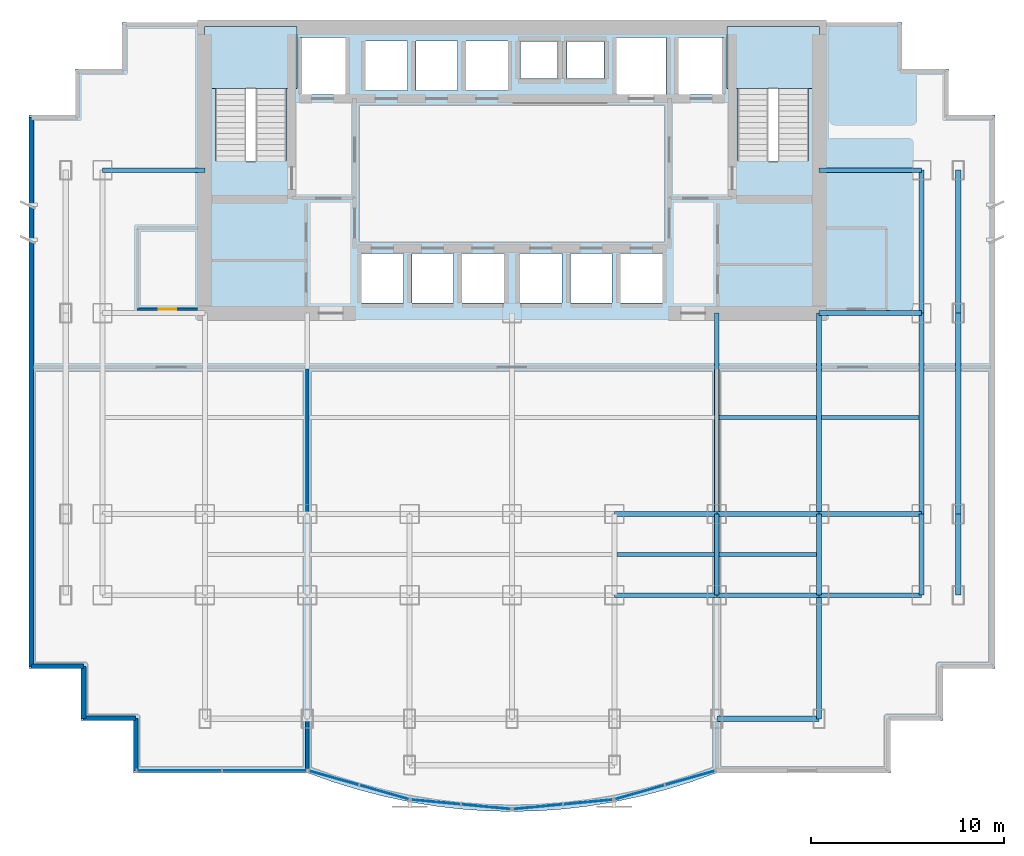
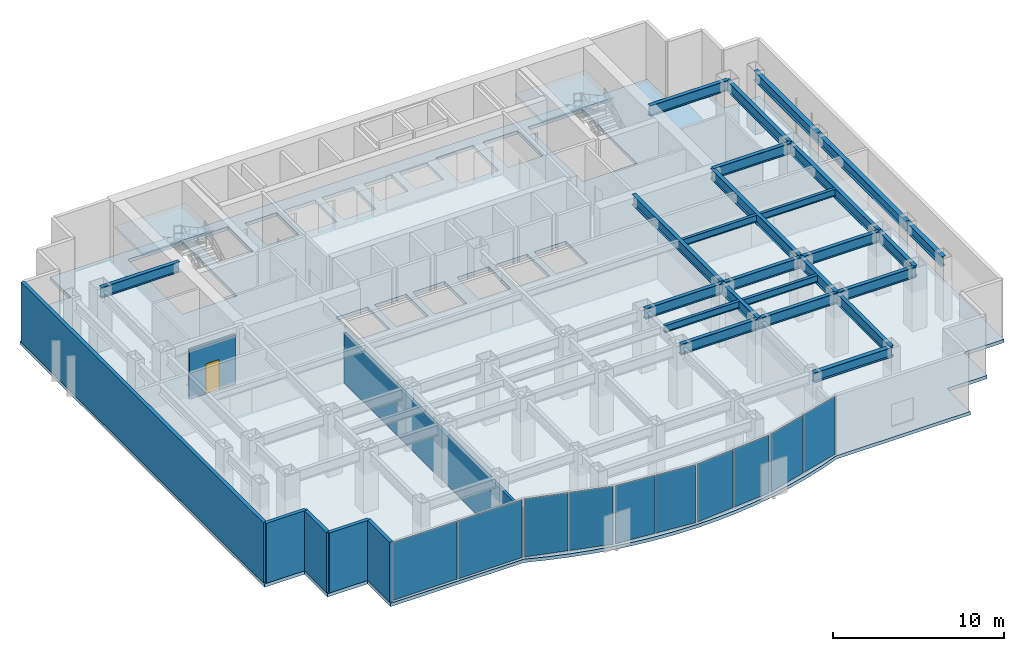
# One storey, part 4 of 9: 25 beams, 10 plates, 7 walls, 3 slabs, 1 door, 1 opening, 7 elements without a shape of their own.
"""IFC4 building model written with IfcOpenShell, lengths in metres."""

from ifc_helpers import new_model, si_unit, direction, frame, frame_2d, origin, origin_2d, place, context, subcontext, project, spatial, polyline, rectangle, i_section, outline, extrude, source, transform, mapped, material, layer, layer_set, material_profile, profile_set, type_object, element, fill, aggregate, save


model = new_model("IFC4")

# Units and contexts
model_context = context("Model", 3, precision=1e-05, world=origin(), true_north=direction((0.0, 1.0)))
body_context = subcontext(model_context, "Body", "Model", "MODEL_VIEW")
ifc_project = project(units=[si_unit("LENGTHUNIT", "METRE"), si_unit("AREAUNIT", "SQUARE_METRE"), si_unit("VOLUMEUNIT", "CUBIC_METRE"), si_unit("PLANEANGLEUNIT", "RADIAN"), si_unit("MASSUNIT", "GRAM", prefix="KILO")], contexts=[model_context])

# Site, building, storey
site_placement = place(None, origin())
site = spatial("IfcSite", under=ifc_project, at=site_placement, CompositionType="ELEMENT")
building_placement = place(site_placement, origin())
building = spatial("IfcBuilding", under=site, at=building_placement, Name="Qianlan Lanfeng Residences", CompositionType="ELEMENT")
storey_placement = place(building_placement, frame((0.0, 0.0, 77.199951171875)))
storey = spatial("IfcBuildingStorey", under=building, at=storey_placement, Name="L20", CompositionType="ELEMENT", Elevation=77.199951171875)

# Beams
ifc_material_1 = material(Name="Steel SN490B", Category="steel")
ifc_material_profile_1 = material_profile(ifc_material_1, i_section(OverallWidth=0.25, OverallDepth=0.75, WebThickness=0.013916015625, FlangeThickness=0.02490234375, at=origin_2d()), Name="H 750x250x14x25")
ifc_profile_set_1 = profile_set([ifc_material_profile_1], Name="Steel SN490B")
beam_type_1 = type_object("IfcBeamType", Name="G-850", PredefinedType="BEAM", material=ifc_profile_set_1)
beam_1_placement = place(storey_placement, frame((31.800048828125, 10.60009765625, 3.9150390625), z_axis=(1.0, 0.0, 0.0), x_axis=(0.0, 1.0, 0.0)))
element("IfcBeam", 1, at=beam_1_placement, inside=storey, type_object=beam_type_1, Name="Structural beam G-850", PredefinedType="BEAM", context=body_context, shape_type="SweptSolid", body=[
    extrude(i_section(OverallWidth=0.25, OverallDepth=0.75, WebThickness=0.013916015625, FlangeThickness=0.02490234375, at=origin_2d()), origin(), (0.0, 0.0, 1.0), 5.300048828125),
])
beam_2_placement = place(storey_placement, frame((37.10009765625, 10.60009765625, 3.9150390625), z_axis=(1.0, 0.0, 0.0), x_axis=(0.0, 1.0, 0.0)))
element("IfcBeam", 2, at=beam_2_placement, inside=storey, type_object=beam_type_1, Name="Structural beam G-850", PredefinedType="BEAM", context=body_context, shape_type="SweptSolid", body=[
    extrude(i_section(OverallWidth=0.25, OverallDepth=0.75, WebThickness=0.013916015625, FlangeThickness=0.02490234375, at=origin_2d()), origin(), (0.0, 0.0, 1.0), 5.2998046875),
])
for number, where, z_axis, x_axis, name in (
    (3, (42.39990234375, 10.60009765625, 3.9150390625), (1.0, 0.0, 0.0), (0.0, 1.0, 0.0), "Structural beam G-850"),
    (4, (31.800048828125, 14.800048828125, 3.9150390625), (1.0, 0.0, 0.0), (0.0, 1.0, 0.0), "Structural beam G-850"),
):
    element("IfcBeam", number, at=place(storey_placement, frame(where, z_axis=z_axis, x_axis=x_axis)), inside=storey, type_object=beam_type_1, Name=name, PredefinedType="BEAM", context=body_context, shape_type="SweptSolid", body=[
        extrude(i_section(OverallWidth=0.25, OverallDepth=0.75, WebThickness=0.013916015625, FlangeThickness=0.02490234375, at=origin_2d()), origin(), (0.0, 0.0, 1.0), 5.300048828125),
    ])
beam_3_placement = place(storey_placement, frame((37.10009765625, 14.800048828125, 3.9150390625), z_axis=(1.0, 0.0, 0.0), x_axis=(0.0, 1.0, 0.0)))
element("IfcBeam", 5, at=beam_3_placement, inside=storey, type_object=beam_type_1, Name="Structural beam G-850", PredefinedType="BEAM", context=body_context, shape_type="SweptSolid", body=[
    extrude(i_section(OverallWidth=0.25, OverallDepth=0.75, WebThickness=0.013916015625, FlangeThickness=0.02490234375, at=origin_2d()), origin(), (0.0, 0.0, 1.0), 5.2998046875),
])
for number, where, z_axis, x_axis, name in (
    (6, (42.39990234375, 14.800048828125, 3.9150390625), (1.0, 0.0, 0.0), (0.0, 1.0, 0.0), "Structural beam G-850"),
    (7, (42.39990234375, 25.199951171875, 3.9150390625), (1.0, 0.0, 0.0), (0.0, 1.0, 0.0), "Structural beam G-850"),
    (8, (5.300048828125, 32.60009765625, 3.9150390625), (1.0, 0.0, 0.0), (0.0, 1.0, 0.0), "Structural beam G-850"),
    (9, (42.39990234375, 32.60009765625, 3.9150390625), (1.0, 0.0, 0.0), (0.0, 1.0, 0.0), "Structural beam G-850"),
):
    element("IfcBeam", number, at=place(storey_placement, frame(where, z_axis=z_axis, x_axis=x_axis)), inside=storey, type_object=beam_type_1, Name=name, PredefinedType="BEAM", context=body_context, shape_type="SweptSolid", body=[
        extrude(i_section(OverallWidth=0.25, OverallDepth=0.75, WebThickness=0.013916015625, FlangeThickness=0.02490234375, at=origin_2d()), origin(), (0.0, 0.0, 1.0), 5.300048828125),
    ])
beam_4_placement = place(storey_placement, frame((37.10009765625, 10.60009765625, 3.9150390625), z_axis=(0.0, 1.0, 0.0), x_axis=(-1.0, 0.0, 0.0)))
element("IfcBeam", 10, at=beam_4_placement, inside=storey, type_object=beam_type_1, Name="Structural beam G-850", PredefinedType="BEAM", context=body_context, shape_type="SweptSolid", body=[
    extrude(i_section(OverallWidth=0.25, OverallDepth=0.75, WebThickness=0.013916015625, FlangeThickness=0.02490234375, at=origin_2d()), origin(), (0.0, 0.0, 1.0), 4.199951171875),
])
beam_5_placement = place(storey_placement, frame((37.10009765625, 14.800048828125, 3.9150390625), z_axis=(0.0, 1.0, 0.0), x_axis=(-1.0, 0.0, 0.0)))
element("IfcBeam", 11, at=beam_5_placement, inside=storey, type_object=beam_type_1, Name="Structural beam G-850", PredefinedType="BEAM", context=body_context, shape_type="SweptSolid", body=[
    extrude(i_section(OverallWidth=0.25, OverallDepth=0.75, WebThickness=0.013916015625, FlangeThickness=0.02490234375, at=origin_2d()), origin(), (0.0, 0.0, 1.0), 10.39990234375),
])
beam_6_placement = place(storey_placement, frame((42.39990234375, 4.199951171875, 3.9150390625), z_axis=(0.0, 1.0, 0.0), x_axis=(-1.0, 0.0, 0.0)))
element("IfcBeam", 12, at=beam_6_placement, inside=storey, type_object=beam_type_1, Name="Structural beam G-850", PredefinedType="BEAM", context=body_context, shape_type="SweptSolid", body=[
    extrude(i_section(OverallWidth=0.25, OverallDepth=0.75, WebThickness=0.013916015625, FlangeThickness=0.02490234375, at=origin_2d()), origin(), (0.0, 0.0, 1.0), 6.400146484375),
])
beam_7_placement = place(storey_placement, frame((42.39990234375, 10.60009765625, 3.9150390625), z_axis=(0.0, 1.0, 0.0), x_axis=(-1.0, 0.0, 0.0)))
element("IfcBeam", 13, at=beam_7_placement, inside=storey, type_object=beam_type_1, Name="Structural beam G-850", PredefinedType="BEAM", context=body_context, shape_type="SweptSolid", body=[
    extrude(i_section(OverallWidth=0.25, OverallDepth=0.75, WebThickness=0.013916015625, FlangeThickness=0.02490234375, at=origin_2d()), origin(), (0.0, 0.0, 1.0), 4.199951171875),
])
beam_8_placement = place(storey_placement, frame((42.39990234375, 14.800048828125, 3.9150390625), z_axis=(0.0, 1.0, 0.0), x_axis=(-1.0, 0.0, 0.0)))
element("IfcBeam", 14, at=beam_8_placement, inside=storey, type_object=beam_type_1, Name="Structural beam G-850", PredefinedType="BEAM", context=body_context, shape_type="SweptSolid", body=[
    extrude(i_section(OverallWidth=0.25, OverallDepth=0.75, WebThickness=0.013916015625, FlangeThickness=0.02490234375, at=origin_2d()), origin(), (0.0, 0.0, 1.0), 10.39990234375),
])
beam_9_placement = place(storey_placement, frame((47.699951171875, 10.60009765625, 3.9150390625), z_axis=(0.0, 1.0, 0.0), x_axis=(-1.0, 0.0, 0.0)))
element("IfcBeam", 15, at=beam_9_placement, inside=storey, type_object=beam_type_1, Name="Structural beam G-850", PredefinedType="BEAM", context=body_context, shape_type="SweptSolid", body=[
    extrude(i_section(OverallWidth=0.25, OverallDepth=0.75, WebThickness=0.013916015625, FlangeThickness=0.02490234375, at=origin_2d()), origin(), (0.0, 0.0, 1.0), 4.199951171875),
])
beam_10_placement = place(storey_placement, frame((47.699951171875, 14.800048828125, 3.9150390625), z_axis=(0.0, 1.0, 0.0), x_axis=(-1.0, 0.0, 0.0)))
element("IfcBeam", 16, at=beam_10_placement, inside=storey, type_object=beam_type_1, Name="Structural beam G-850", PredefinedType="BEAM", context=body_context, shape_type="SweptSolid", body=[
    extrude(i_section(OverallWidth=0.25, OverallDepth=0.75, WebThickness=0.013916015625, FlangeThickness=0.02490234375, at=origin_2d()), origin(), (0.0, 0.0, 1.0), 10.39990234375),
])
beam_11_placement = place(storey_placement, frame((47.699951171875, 25.199951171875, 3.9150390625), z_axis=(0.0, 1.0, 0.0), x_axis=(-1.0, 0.0, 0.0)))
element("IfcBeam", 17, at=beam_11_placement, inside=storey, type_object=beam_type_1, Name="Structural beam G-850", PredefinedType="BEAM", context=body_context, shape_type="SweptSolid", body=[
    extrude(i_section(OverallWidth=0.25, OverallDepth=0.75, WebThickness=0.013916015625, FlangeThickness=0.02490234375, at=origin_2d()), origin(), (0.0, 0.0, 1.0), 7.400146484375),
])
ifc_material_profile_2 = material_profile(ifc_material_1, i_section(OverallWidth=0.199951171875, OverallDepth=0.5, WebThickness=0.010009765625, FlangeThickness=0.01611328125, at=origin_2d()), Name="H 500x200x10x16")
ifc_profile_set_2 = profile_set([ifc_material_profile_2], Name="Steel SN490B")
beam_type_2 = type_object("IfcBeamType", Name="J-500", PredefinedType="JOIST", material=ifc_profile_set_2)
beam_12_placement = place(storey_placement, frame((31.925048828125, 12.699951171875, 4.0400390625), z_axis=(1.0, 0.0, 0.0), x_axis=(0.0, 1.0, 0.0)))
element("IfcBeam", 18, at=beam_12_placement, inside=storey, type_object=beam_type_2, Name="Structural beam J-500", PredefinedType="JOIST", context=body_context, shape_type="SweptSolid", body=[
    extrude(i_section(OverallWidth=0.199951171875, OverallDepth=0.5, WebThickness=0.010009765625, FlangeThickness=0.01611328125, at=origin_2d()), origin(), (0.0, 0.0, 1.0), 5.050048828125),
])
for number, where, z_axis, x_axis, name in (
    (19, (37.22509765625, 12.699951171875, 4.0400390625), (1.0, 0.0, 0.0), (0.0, 1.0, 0.0), "Structural beam J-500"),
    (20, (37.22509765625, 19.800048828125, 4.0400390625), (1.0, 0.0, 0.0), (0.0, 1.0, 0.0), "Structural beam J-500"),
):
    element("IfcBeam", number, at=place(storey_placement, frame(where, z_axis=z_axis, x_axis=x_axis)), inside=storey, type_object=beam_type_2, Name=name, PredefinedType="JOIST", context=body_context, shape_type="SweptSolid", body=[
        extrude(i_section(OverallWidth=0.199951171875, OverallDepth=0.5, WebThickness=0.010009765625, FlangeThickness=0.01611328125, at=origin_2d()), origin(), (0.0, 0.0, 1.0), 5.0498046875),
    ])
beam_13_placement = place(storey_placement, frame((42.52490234375, 19.800048828125, 4.0400390625), z_axis=(1.0, 0.0, 0.0), x_axis=(0.0, 1.0, 0.0)))
element("IfcBeam", 21, at=beam_13_placement, inside=storey, type_object=beam_type_2, Name="Structural beam J-500", PredefinedType="JOIST", context=body_context, shape_type="SweptSolid", body=[
    extrude(i_section(OverallWidth=0.199951171875, OverallDepth=0.5, WebThickness=0.010009765625, FlangeThickness=0.01611328125, at=origin_2d()), origin(), (0.0, 0.0, 1.0), 5.050048828125),
])
ifc_material_profile_3 = material_profile(ifc_material_1, i_section(OverallWidth=0.300048828125, OverallDepth=0.699951171875, WebThickness=0.012939453125, FlangeThickness=0.02392578125, at=origin_2d()), Name="H 700x300x13x24")
ifc_profile_set_3 = profile_set([ifc_material_profile_3], Name="Steel SN490B")
beam_type_3 = type_object("IfcBeamType", Name="SG-750", PredefinedType="SPANDREL", material=ifc_profile_set_3)
beam_14_placement = place(storey_placement, frame((37.10009765625, 4.199951171875, 3.93994140625), z_axis=(1.0, 0.0, 0.0), x_axis=(0.0, 1.0, 0.0)))
element("IfcBeam", 22, at=beam_14_placement, inside=storey, type_object=beam_type_3, Name="Structural beam SG-750", PredefinedType="SPANDREL", context=body_context, shape_type="SweptSolid", body=[
    extrude(i_section(OverallWidth=0.300048828125, OverallDepth=0.699951171875, WebThickness=0.012939453125, FlangeThickness=0.02392578125, at=origin_2d()), origin(), (0.0, 0.0, 1.0), 5.2998046875),
])
beam_15_placement = place(storey_placement, frame((49.60009765625, 10.60009765625, 3.93994140625), z_axis=(0.0, 1.0, 0.0), x_axis=(-1.0, 0.0, 0.0)))
element("IfcBeam", 23, at=beam_15_placement, inside=storey, type_object=beam_type_3, Name="Structural beam SG-750", PredefinedType="SPANDREL", context=body_context, shape_type="SweptSolid", body=[
    extrude(i_section(OverallWidth=0.300048828125, OverallDepth=0.699951171875, WebThickness=0.012939453125, FlangeThickness=0.02392578125, at=origin_2d()), origin(), (0.0, 0.0, 1.0), 4.199951171875),
])
beam_16_placement = place(storey_placement, frame((49.60009765625, 14.800048828125, 3.93994140625), z_axis=(0.0, 1.0, 0.0), x_axis=(-1.0, 0.0, 0.0)))
element("IfcBeam", 24, at=beam_16_placement, inside=storey, type_object=beam_type_3, Name="Structural beam SG-750", PredefinedType="SPANDREL", context=body_context, shape_type="SweptSolid", body=[
    extrude(i_section(OverallWidth=0.300048828125, OverallDepth=0.699951171875, WebThickness=0.012939453125, FlangeThickness=0.02392578125, at=origin_2d()), origin(), (0.0, 0.0, 1.0), 10.39990234375),
])
beam_17_placement = place(storey_placement, frame((49.60009765625, 25.199951171875, 3.93994140625), z_axis=(0.0, 1.0, 0.0), x_axis=(-1.0, 0.0, 0.0)))
element("IfcBeam", 25, at=beam_17_placement, inside=storey, type_object=beam_type_3, Name="Structural beam SG-750", PredefinedType="SPANDREL", context=body_context, shape_type="SweptSolid", body=[
    extrude(i_section(OverallWidth=0.300048828125, OverallDepth=0.699951171875, WebThickness=0.012939453125, FlangeThickness=0.02392578125, at=origin_2d()), origin(), (0.0, 0.0, 1.0), 7.400146484375),
])

# Slab
ifc_material_2 = material(Name="Concrete C49", Category="concrete")
ifc_layer_1 = layer(ifc_material_2, 0.239990234375)
ifc_layer_set_1 = layer_set([ifc_layer_1], Name="Concrete C49")
slab_type_1 = type_object("IfcSlabType", Name="S-FL-240", PredefinedType="FLOOR", material=ifc_layer_set_1)
slab_1_placement = place(storey_placement, frame((0.0, 0.0, -0.239990234375)))
element("IfcSlab", 26, at=slab_1_placement, inside=storey, type_object=slab_type_1, Name="L20 Structural Floor Slab", PredefinedType="FLOOR", context=body_context, shape_type="SweptSolid", body=[
    extrude(outline(polyline([(1.5, 6.800048828125), (4.199951171875, 6.800048828125), (4.199951171875, 4.10009765625), (6.89990234375, 4.10009765625), (6.89990234375, 1.39990234375), (15.919921875, 1.39990234375), (17.241943359375, 0.930908203125), (18.56494140625, 0.52490234375), (19.886962890625, 0.180908203125), (21.2099609375, -0.10009765625), (22.531982421875, -0.319091796875), (23.85498046875, -0.47509765625), (25.177001953125, -0.569091796875), (26.5, -0.60009765625), (27.822021484375, -0.569091796875), (29.14501953125, -0.47509765625), (30.467041015625, -0.319091796875), (31.7900390625, -0.10009765625), (33.112060546875, 0.180908203125), (34.43505859375, 0.52490234375), (35.758056640625, 0.930908203125), (37.080078125, 1.39990234375), (46.10009765625, 1.39990234375), (46.10009765625, 4.10009765625), (48.800048828125, 4.10009765625), (48.800048828125, 6.800048828125), (51.5, 6.800048828125), (51.5, 35.449951171875), (49.10009765625, 35.449951171875), (49.10009765625, 37.85009765625), (46.699951171875, 37.85009765625), (46.699951171875, 40.25), (6.300048828125, 40.25), (6.300048828125, 37.85009765625), (3.89990234375, 37.85009765625), (3.89990234375, 35.449951171875), (1.5, 35.449951171875), (1.5, 6.800048828125)]), holes=[polyline([(11.139892578125, 33.080078125), (11.139892578125, 39.5), (14.820068359375, 39.5), (14.820068359375, 33.080078125), (11.139892578125, 33.080078125)]), polyline([(38.179931640625, 33.080078125), (38.179931640625, 39.5), (41.860107421875, 39.5), (41.860107421875, 33.080078125), (38.179931640625, 33.080078125)]), polyline([(15.52001953125, 36.52001953125), (15.52001953125, 39.47998046875), (17.8798828125, 39.47998046875), (17.8798828125, 36.52001953125), (15.52001953125, 36.52001953125)]), polyline([(35.1201171875, 36.52001953125), (35.1201171875, 39.47998046875), (37.47998046875, 39.47998046875), (37.47998046875, 36.52001953125), (35.1201171875, 36.52001953125)]), polyline([(31.919921875, 36.52001953125), (31.919921875, 39.47998046875), (34.47998046875, 39.47998046875), (34.47998046875, 36.52001953125), (31.919921875, 36.52001953125)]), polyline([(18.719970703125, 25.719970703125), (18.719970703125, 28.280029296875), (20.8798828125, 28.280029296875), (20.8798828125, 25.719970703125), (18.719970703125, 25.719970703125)]), polyline([(21.320068359375, 25.719970703125), (21.320068359375, 28.280029296875), (23.47998046875, 28.280029296875), (23.47998046875, 25.719970703125), (21.320068359375, 25.719970703125)]), polyline([(23.919921875, 25.719970703125), (23.919921875, 28.280029296875), (26.080078125, 28.280029296875), (26.080078125, 25.719970703125), (23.919921875, 25.719970703125)]), polyline([(26.919921875, 25.719970703125), (26.919921875, 28.280029296875), (29.080078125, 28.280029296875), (29.080078125, 25.719970703125), (26.919921875, 25.719970703125)]), polyline([(29.52001953125, 25.719970703125), (29.52001953125, 28.280029296875), (31.679931640625, 28.280029296875), (31.679931640625, 25.719970703125), (29.52001953125, 25.719970703125)]), polyline([(32.1201171875, 25.719970703125), (32.1201171875, 28.280029296875), (34.280029296875, 28.280029296875), (34.280029296875, 25.719970703125), (32.1201171875, 25.719970703125)]), polyline([(18.919921875, 36.719970703125), (18.919921875, 39.280029296875), (21.080078125, 39.280029296875), (21.080078125, 36.719970703125), (18.919921875, 36.719970703125)]), polyline([(21.52001953125, 36.719970703125), (21.52001953125, 39.280029296875), (23.679931640625, 39.280029296875), (23.679931640625, 36.719970703125), (21.52001953125, 36.719970703125)]), polyline([(24.1201171875, 36.719970703125), (24.1201171875, 39.280029296875), (26.280029296875, 39.280029296875), (26.280029296875, 36.719970703125), (24.1201171875, 36.719970703125)]), polyline([(26.949951171875, 37.35009765625), (26.949951171875, 39.25), (28.85009765625, 39.25), (28.85009765625, 37.35009765625), (26.949951171875, 37.35009765625)]), polyline([(29.35009765625, 37.35009765625), (29.35009765625, 39.25), (31.25, 39.25), (31.25, 37.35009765625), (29.35009765625, 37.35009765625)])]), origin(), (0.0, 0.0, 1.0), 0.239990234375),
])

# Stair, slab
ifc_material_3 = material(Name="Concrete C42", Category="concrete")
stair_type = type_object("IfcStairType", Name="STR-MAIN", PredefinedType="HALF_TURN_STAIR", material=ifc_material_3)
stair_1_placement = place(storey_placement, origin())
stair_1 = element("IfcStair", 27, at=stair_1_placement, inside=storey, type_object=stair_type, Name="L20 Exit Stair ST-1", PredefinedType="HALF_TURN_STAIR")
ifc_layer_2 = layer(ifc_material_3, 0.179931640625)
ifc_layer_set_2 = layer_set([ifc_layer_2], Name="Concrete C42")
slab_type_2 = type_object("IfcSlabType", Name="S-LND-180", PredefinedType="LANDING", material=ifc_layer_set_2)
slab_2_placement = place(storey_placement, frame((0.0, 0.0, 2.050048828125)))
slab_2 = element("IfcSlab", 28, at=slab_2_placement, type_object=slab_type_2, Name="ST-1 landing 1", PredefinedType="LANDING", context=body_context, shape_type="SweptSolid", body=[
    extrude(outline(polyline([(10.580078125, 36.820068359375), (15.3798828125, 36.820068359375), (15.3798828125, 40.050048828125), (10.580078125, 40.050048828125), (10.580078125, 36.820068359375)])), origin(), (0.0, 0.0, 1.0), 0.199951171875),
])
aggregate(stair_1, [slab_2])

stair_2_placement = place(storey_placement, origin())
stair_2 = element("IfcStair", 29, at=stair_2_placement, inside=storey, type_object=stair_type, Name="L20 Exit Stair ST-2", PredefinedType="HALF_TURN_STAIR")
slab_3_placement = place(storey_placement, frame((0.0, 0.0, 2.050048828125)))
slab_3 = element("IfcSlab", 30, at=slab_3_placement, type_object=slab_type_2, Name="ST-2 landing 1", PredefinedType="LANDING", context=body_context, shape_type="SweptSolid", body=[
    extrude(outline(polyline([(37.6201171875, 36.820068359375), (42.419921875, 36.820068359375), (42.419921875, 40.050048828125), (37.6201171875, 40.050048828125), (37.6201171875, 36.820068359375)])), origin(), (0.0, 0.0, 1.0), 0.199951171875),
])
aggregate(stair_2, [slab_3])

# Curtain wall, plates
ifc_material_4 = material(Name="Anodised Bronze Aluminium 6063-T6", Category="aluminium")
ifc_layer_3 = layer(ifc_material_4, 0.219970703125)
ifc_layer_set_3 = layer_set([ifc_layer_3], Name="Anodised Bronze Aluminium 6063-T6")
curtain_wall_type = type_object("IfcCurtainWallType", Name="CW-03", PredefinedType="NOTDEFINED", material=ifc_layer_set_3)
curtain_wall_1_placement = place(storey_placement, origin())
curtain_wall_1 = element("IfcCurtainWall", 31, at=curtain_wall_1_placement, inside=storey, type_object=curtain_wall_type, Name="L20 Unitised Curtain Wall CWR-L20-01 (CW-03)", PredefinedType="NOTDEFINED")
ifc_material_5 = material(Name="Dark Bronze Tinted Insulated Glass", Category="glass")
ifc_layer_4 = layer(ifc_material_5, 0.0380859375)
ifc_layer_set_4 = layer_set([ifc_layer_4], Name="Dark Bronze Tinted Insulated Glass")
plate_type_1 = type_object("IfcPlateType", Name="PNL-GLZ-BRZ", PredefinedType="CURTAIN_PANEL", material=ifc_layer_set_4)
shared_shape_1 = source(origin(), body_context, "Body", "SweptSolid", [
    extrude(rectangle(XDim=4.342529296875, YDim=0.0380859375, at=origin_2d()), origin(), (0.0, 0.0, 1.0), 4.132080078125),
])
plate_1_placement = place(storey_placement, frame((9.270263671875, 1.52001953125, 0.0791015625), z_axis=(0.0, 0.0, 1.0), x_axis=(1.0, 0.0, 0.0)))
plate_1 = element("IfcPlate", 32, at=plate_1_placement, type_object=plate_type_1, Name="CWR-L20-01 Curtain Panel 1", PredefinedType="CURTAIN_PANEL", context=body_context, shape_type="MappedRepresentation", body=[
    mapped(shared_shape_1, transform((0.0, 0.0, 0.0), scale=1.0)),
])
plate_2_placement = place(storey_placement, frame((13.690673828125, 1.52001953125, 0.0791015625), z_axis=(0.0, 0.0, 1.0), x_axis=(1.0, 0.0, 0.0)))
plate_2 = element("IfcPlate", 33, at=plate_2_placement, type_object=plate_type_1, Name="CWR-L20-01 Curtain Panel 2", PredefinedType="CURTAIN_PANEL", context=body_context, shape_type="MappedRepresentation", body=[
    mapped(shared_shape_1, transform((0.0, 0.0, 0.0), scale=1.0)),
])
aggregate(curtain_wall_1, [plate_1, plate_2])

# Curtain wall, plate
curtain_wall_2_placement = place(storey_placement, origin())
curtain_wall_2 = element("IfcCurtainWall", 34, at=curtain_wall_2_placement, inside=storey, type_object=curtain_wall_type, Name="L20 Unitised Curtain Wall CWR-L20-02 (CW-03)", PredefinedType="NOTDEFINED")
shared_shape_2 = source(origin(), body_context, "Body", "SweptSolid", [
    extrude(rectangle(XDim=2.632080078125, YDim=0.0380859375, at=origin_2d()), origin(), (0.0, 0.0, 1.0), 4.132080078125),
])
plate_3_placement = place(storey_placement, frame((17.282958984375, 1.138916015625, 0.0791015625), z_axis=(0.0, 0.0, 1.0), x_axis=(0.961989074302, -0.273087936247, 0.0)))
plate_3 = element("IfcPlate", 35, at=plate_3_placement, type_object=plate_type_1, Name="CWR-L20-02 Curtain Panel 1", PredefinedType="CURTAIN_PANEL", context=body_context, shape_type="MappedRepresentation", body=[
    mapped(shared_shape_2, transform((0.0, 0.0, 0.0), scale=1.0)),
])

# Curtain wall, plates
curtain_wall_3_placement = place(storey_placement, origin())
curtain_wall_3 = element("IfcCurtainWall", 36, at=curtain_wall_3_placement, inside=storey, type_object=curtain_wall_type, Name="L20 Unitised Curtain Wall CWR-L20-05 (CW-03)", PredefinedType="NOTDEFINED")
plate_4_placement = place(storey_placement, frame((33.110107421875, 0.39892578125, 0.0791015625), z_axis=(0.0, 0.0, 1.0), x_axis=(0.961989074302, 0.273087936247, 0.0)))
plate_4 = element("IfcPlate", 37, at=plate_4_placement, type_object=plate_type_1, Name="CWR-L20-05 Curtain Panel 1", PredefinedType="CURTAIN_PANEL", context=body_context, shape_type="MappedRepresentation", body=[
    mapped(shared_shape_2, transform((0.0, 0.0, 0.0), scale=1.0)),
])
plate_5_placement = place(storey_placement, frame((35.717041015625, 1.138916015625, 0.0791015625), z_axis=(0.0, 0.0, 1.0), x_axis=(0.961989074302, 0.273087936247, 0.0)))
plate_5 = element("IfcPlate", 38, at=plate_5_placement, type_object=plate_type_1, Name="CWR-L20-05 Curtain Panel 2", PredefinedType="CURTAIN_PANEL", context=body_context, shape_type="MappedRepresentation", body=[
    mapped(shared_shape_2, transform((0.0, 0.0, 0.0), scale=1.0)),
])
aggregate(curtain_wall_3, [plate_4, plate_5])

# Plate
ifc_material_6 = material(Name="Perforated Champagne Gold Aluminium Panel", Category="aluminium")
ifc_layer_5 = layer(ifc_material_6, 0.0400390625)
ifc_layer_set_5 = layer_set([ifc_layer_5], Name="Perforated Champagne Gold Aluminium Panel")
plate_type_2 = type_object("IfcPlateType", Name="PNL-PRF-GLD", PredefinedType="CURTAIN_PANEL", material=ifc_layer_set_5)
shared_shape_3 = source(origin(), body_context, "Body", "SweptSolid", [
    extrude(rectangle(XDim=2.632080078125, YDim=0.0400390625, at=origin_2d()), origin(), (0.0, 0.0, 1.0), 4.132080078125),
])
plate_6_placement = place(storey_placement, frame((19.889892578125, 0.39892578125, 0.0791015625), z_axis=(0.0, 0.0, 1.0), x_axis=(0.961989074302, -0.273087936247, 0.0)))
plate_6 = element("IfcPlate", 39, at=plate_6_placement, type_object=plate_type_2, Name="CWR-L20-02 Curtain Panel 2", PredefinedType="CURTAIN_PANEL", context=body_context, shape_type="MappedRepresentation", body=[
    mapped(shared_shape_3, transform((0.0, 0.0, 0.0), scale=1.0)),
])

aggregate(curtain_wall_2, [plate_3, plate_6])

# Curtain wall, plate
curtain_wall_4_placement = place(storey_placement, origin())
curtain_wall_4 = element("IfcCurtainWall", 40, at=curtain_wall_4_placement, inside=storey, type_object=curtain_wall_type, Name="L20 Unitised Curtain Wall CWR-L20-03 (CW-03)", PredefinedType="NOTDEFINED")
shared_shape_4 = source(origin(), body_context, "Body", "SweptSolid", [
    extrude(rectangle(XDim=2.527587890625, YDim=0.0380859375, at=origin_2d()), origin(), (0.0, 0.0, 1.0), 4.132080078125),
])
plate_7_placement = place(storey_placement, frame((22.56884765625, -0.1083984375, 0.0791015625), z_axis=(0.0, 0.0, 1.0), x_axis=(0.995561471839, -0.094113526067, 0.0)))
plate_7 = element("IfcPlate", 41, at=plate_7_placement, type_object=plate_type_1, Name="CWR-L20-03 Curtain Panel 1", PredefinedType="CURTAIN_PANEL", context=body_context, shape_type="MappedRepresentation", body=[
    mapped(shared_shape_4, transform((0.0, 0.0, 0.0), scale=1.0)),
])

curtain_wall_5_placement = place(storey_placement, origin())
curtain_wall_5 = element("IfcCurtainWall", 42, at=curtain_wall_5_placement, inside=storey, type_object=curtain_wall_type, Name="L20 Unitised Curtain Wall CWR-L20-04 (CW-03)", PredefinedType="NOTDEFINED")
plate_8_placement = place(storey_placement, frame((27.8369140625, -0.353515625, 0.0791015625), z_axis=(0.0, 0.0, 1.0), x_axis=(0.995561471839, 0.094113526067, 0.0)))
plate_8 = element("IfcPlate", 43, at=plate_8_placement, type_object=plate_type_1, Name="CWR-L20-04 Curtain Panel 1", PredefinedType="CURTAIN_PANEL", context=body_context, shape_type="MappedRepresentation", body=[
    mapped(shared_shape_4, transform((0.0, 0.0, 0.0), scale=1.0)),
])

# Plate
shared_shape_5 = source(origin(), body_context, "Body", "SweptSolid", [
    extrude(rectangle(XDim=2.52783203125, YDim=0.0380859375, at=origin_2d()), origin(), (0.0, 0.0, 1.0), 4.132080078125),
])
plate_9_placement = place(storey_placement, frame((25.1630859375, -0.353515625, 0.0791015625), z_axis=(0.0, 0.0, 1.0), x_axis=(0.995561471839, -0.094113526067, 0.0)))
plate_9 = element("IfcPlate", 44, at=plate_9_placement, type_object=plate_type_1, Name="CWR-L20-03 Curtain Panel 2", PredefinedType="CURTAIN_PANEL", context=body_context, shape_type="MappedRepresentation", body=[
    mapped(shared_shape_5, transform((0.0, 0.0, 0.0), scale=1.0)),
])

aggregate(curtain_wall_4, [plate_7, plate_9])

shared_shape_6 = source(origin(), body_context, "Body", "SweptSolid", [
    extrude(rectangle(XDim=2.52783203125, YDim=0.0400390625, at=origin_2d()), origin(), (0.0, 0.0, 1.0), 4.132080078125),
])
plate_10_placement = place(storey_placement, frame((30.43115234375, -0.1083984375, 0.0791015625), z_axis=(0.0, 0.0, 1.0), x_axis=(0.995561471839, 0.094113526067, 0.0)))
plate_10 = element("IfcPlate", 45, at=plate_10_placement, type_object=plate_type_2, Name="CWR-L20-04 Curtain Panel 2", PredefinedType="CURTAIN_PANEL", context=body_context, shape_type="MappedRepresentation", body=[
    mapped(shared_shape_6, transform((0.0, 0.0, 0.0), scale=1.0)),
])

aggregate(curtain_wall_5, [plate_8, plate_10])

# Walls
ifc_layer_6 = layer(ifc_material_3, 0.239990234375)
ifc_layer_set_6 = layer_set([ifc_layer_6], Name="Concrete C42")
wall_type_1 = type_object("IfcWallType", Name="EW-240", PredefinedType="SOLIDWALL", material=ifc_layer_set_6)
for number, where, z_axis, x_axis, name in (
    (46, (1.6201171875, 6.919921875, 0.0), (0.0, 0.0, 1.0), (1.0, 0.0, 0.0), "L20 Exterior Facade Spandrel Wall 1"),
    (47, (4.320068359375, 6.919921875, 0.0), (0.0, 0.0, 1.0), (0.0, -1.0, 0.0), "L20 Exterior Facade Spandrel Wall 2"),
    (48, (4.320068359375, 4.219970703125, 0.0), (0.0, 0.0, 1.0), (1.0, 0.0, 0.0), "L20 Exterior Facade Spandrel Wall 3"),
    (49, (7.02001953125, 4.219970703125, 0.0), (0.0, 0.0, 1.0), (0.0, -1.0, 0.0), "L20 Exterior Facade Spandrel Wall 4"),
):
    element("IfcWall", number, at=place(storey_placement, frame(where, z_axis=z_axis, x_axis=x_axis)), inside=storey, type_object=wall_type_1, Name=name, PredefinedType="SOLIDWALL", context=body_context, shape_type="SweptSolid", body=[
        extrude(rectangle(XDim=2.699951171875, YDim=0.239990234375, at=frame_2d((1.35009765625, 0.0))), origin(), (0.0, 0.0, 1.0), 4.2900390625),
    ])
wall_1_placement = place(storey_placement, frame((1.6201171875, 35.330078125, 0.0), z_axis=(0.0, 0.0, 1.0), x_axis=(0.0, -1.0, 0.0)))
element("IfcWall", 50, at=wall_1_placement, inside=storey, type_object=wall_type_1, Name="L20 Exterior Facade Spandrel Wall 21", PredefinedType="SOLIDWALL", context=body_context, shape_type="SweptSolid", body=[
    extrude(rectangle(XDim=28.41015625, YDim=0.239990234375, at=frame_2d((14.205078125, 0.0))), origin(), (0.0, 0.0, 1.0), 4.2900390625),
])

# Wall, opening, door
ifc_material_7 = material(Name="Acoustic Drywall Partition 150 mm")
ifc_layer_7 = layer(ifc_material_7, 0.14990234375)
ifc_layer_set_7 = layer_set([ifc_layer_7], Name="Acoustic Drywall Partition 150 mm")
wall_type_2 = type_object("IfcWallType", Name="PW-150", PredefinedType="PARTITIONING", material=ifc_layer_set_7)
wall_2_placement = place(storey_placement, frame((7.125, 25.39990234375, 0.0), z_axis=(0.0, 0.0, 1.0), x_axis=(1.0, 0.0, 0.0)))
wall_2 = element("IfcWall", 51, at=wall_2_placement, inside=storey, type_object=wall_type_2, Name="L20 Restroom South Wall", PredefinedType="PARTITIONING", context=body_context, shape_type="SweptSolid", body=[
    extrude(rectangle(XDim=3.10009765625, YDim=0.14990234375, at=frame_2d((1.550048828125, 0.0))), origin(), (0.0, 0.0, 1.0), 3.53515625),
])
opening_placement = place(wall_2_placement, frame((1.10009765625, 0.0, 0.0)))
opening = element("IfcOpeningElement", 52, at=opening_placement, cuts=wall_2, Name="Opening L20-D18", PredefinedType="OPENING", context=body_context, shape_type="SweptSolid", body=[
    extrude(rectangle(XDim=0.89990234375, YDim=2.14990234375, at=frame_2d((0.449951171875, 1.074951171875))), frame((0.0, 0.0849609375, 0.0), z_axis=(0.0, -1.0, 0.0), x_axis=(1.0, 0.0, 0.0)), (0.0, 0.0, 1.0), 0.169921875),
])
ifc_material_8 = material(Name="Moisture-Resistant Timber Leaf", Category="wood")
door_type = type_object("IfcDoorType", Name="DT-WC", OperationType="NOTDEFINED", PredefinedType="DOOR", material=ifc_material_8)
door_placement = place(opening_placement, origin())
door = element("IfcDoor", 53, at=door_placement, inside=storey, type_object=door_type, Name="L20 Public Restroom Door L20-D18 (DT-WC)", OperationType="SINGLE_SWING_RIGHT", OverallHeight=2.14990234375, OverallWidth=0.89990234375, PredefinedType="DOOR", context=body_context, shape_type="SweptSolid", body=[
    extrude(rectangle(XDim=0.89990234375, YDim=2.14990234375, at=frame_2d((0.449951171875, 1.074951171875))), frame((0.0, 0.02490234375, 0.0), z_axis=(0.0, -1.0, 0.0), x_axis=(1.0, 0.0, 0.0)), (0.0, 0.0, 1.0), 0.050048828125),
])
fill(opening, door)

# Wall
ifc_material_9 = material(Name="Double-Layer Acoustic Gypsum Stud Wall 180 mm")
ifc_layer_8 = layer(ifc_material_9, 0.179931640625)
ifc_layer_set_8 = layer_set([ifc_layer_8], Name="Double-Layer Acoustic Gypsum Stud Wall 180 mm")
wall_type_3 = type_object("IfcWallType", Name="PW-180", PredefinedType="PARTITIONING", material=ifc_layer_set_8)
wall_3_placement = place(storey_placement, frame((15.89990234375, 1.6201171875, 0.0), z_axis=(0.0, 0.0, 1.0), x_axis=(0.0, 1.0, 0.0)))
element("IfcWall", 54, at=wall_3_placement, inside=storey, type_object=wall_type_3, Name="L20 West Lounge Partition", PredefinedType="PARTITIONING", context=body_context, shape_type="SweptSolid", body=[
    extrude(rectangle(XDim=20.679931640625, YDim=0.179931640625, at=frame_2d((10.33984375, 0.0))), origin(), (0.0, 0.0, 1.0), 3.53515625),
])

save(model, "model.ifc")
